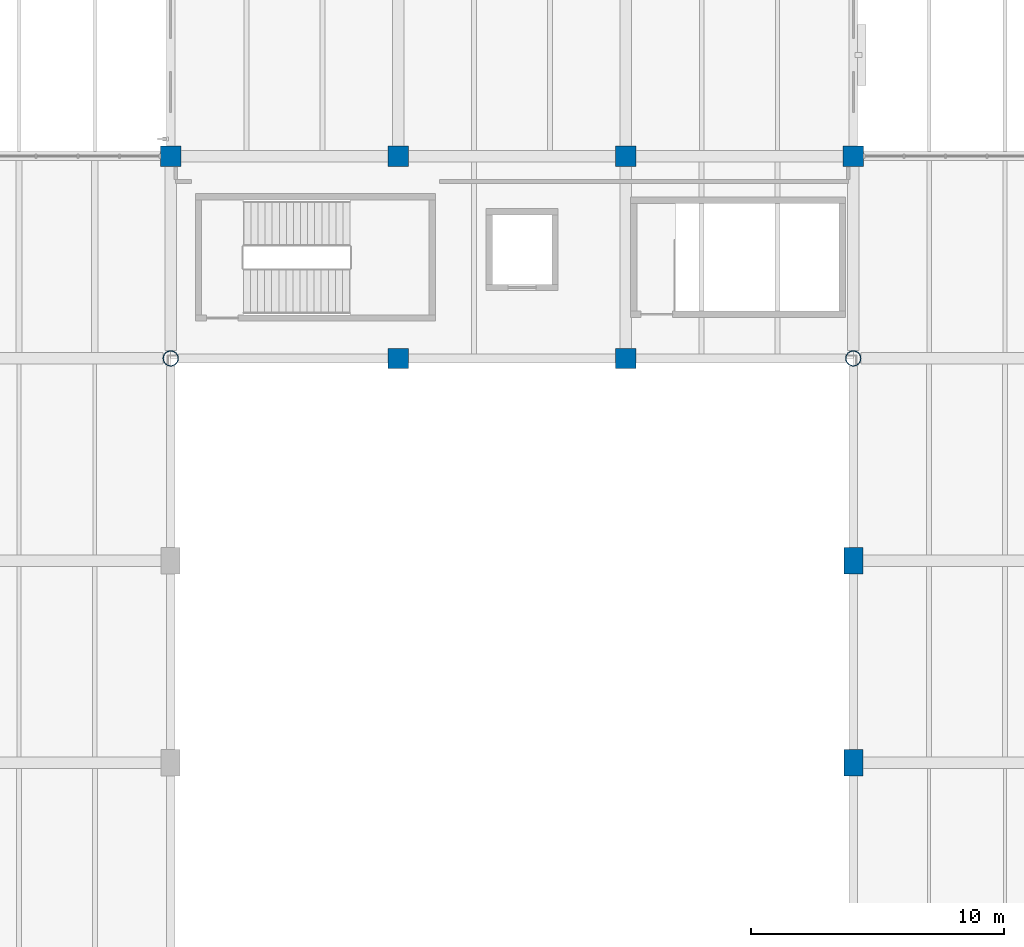
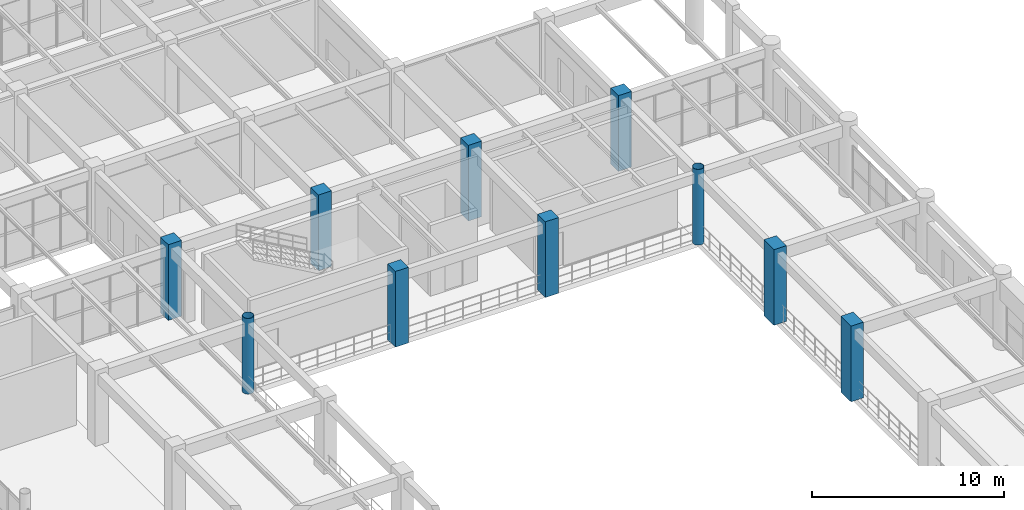
# One storey, part 8 of 178: 10 columns.
"""IFC4 building model written with IfcOpenShell, lengths in metres."""

from ifc_helpers import new_model, si_unit, derived_unit, direction, frame, origin, origin_2d, place, context, subcontext, project, spatial, rectangle, hollow_circle, extrude, material, material_profile, profile_set, type_object, element, save


model = new_model("IFC4")

# Units and contexts
model_context = context("Model", 3, precision=1e-05, world=origin(), true_north=direction((0.0, 1.0)))
body_context = subcontext(model_context, "Body", "Model", "MODEL_VIEW")
ifc_project = project(units=[si_unit("LENGTHUNIT", "METRE"), si_unit("AREAUNIT", "SQUARE_METRE"), si_unit("VOLUMEUNIT", "CUBIC_METRE"), si_unit("PLANEANGLEUNIT", "RADIAN"), si_unit("MASSUNIT", "GRAM", prefix="KILO"), derived_unit("THERMALTRANSMITTANCEUNIT", [(si_unit("MASSUNIT", "GRAM", prefix="KILO"), 1), (si_unit("TIMEUNIT", "SECOND"), -3), (si_unit("THERMODYNAMICTEMPERATUREUNIT", "KELVIN"), -1)])], contexts=[model_context])

# Site, building, storey
site_placement = place(None, origin())
site = spatial("IfcSite", under=ifc_project, at=site_placement, CompositionType="ELEMENT")
building_placement = place(site_placement, origin())
building = spatial("IfcBuilding", under=site, at=building_placement, Name="Zhenchuan Archway Interchange", CompositionType="ELEMENT")
storey_placement = place(building_placement, frame((0.0, 0.0, 5.39990234375)))
storey = spatial("IfcBuildingStorey", under=building, at=storey_placement, Name="L01", CompositionType="ELEMENT", Elevation=5.39990234375)

# Columns
ifc_material_1 = material(Name="Concrete C50", Category="concrete")
ifc_material_profile_1 = material_profile(ifc_material_1, rectangle(XDim=0.75, YDim=1.050048828125, at=origin_2d()), Name="RC 750x1050")
ifc_profile_set_1 = profile_set([ifc_material_profile_1], Name="Concrete C50")
column_type_1 = type_object("IfcColumnType", Name="COL_RC_750x1050", PredefinedType="COLUMN", material=ifc_profile_set_1)
for number, where, z_axis, x_axis, name in (
    (1, (63.0, 64.0, 0.0), (0.0, 0.0, 1.0), (1.0, 0.0, 0.0), "Column 8/J (L01)"),
    (2, (63.0, 72.0, 0.0), (0.0, 0.0, 1.0), (1.0, 0.0, 0.0), "Column 8/K (L01)"),
):
    element("IfcColumn", number, at=place(storey_placement, frame(where, z_axis=z_axis, x_axis=x_axis)), inside=storey, type_object=column_type_1, Name=name, PredefinedType="COLUMN", context=body_context, shape_type="SweptSolid", body=[
        extrude(rectangle(XDim=0.75, YDim=1.050048828125, at=origin_2d()), origin(), (0.0, 0.0, 1.0), 4.800048828125),
    ])
ifc_material_2 = material(Name="Concrete C40", Category="concrete")
ifc_material_profile_2 = material_profile(ifc_material_2, rectangle(XDim=0.800048828125, YDim=0.800048828125, at=origin_2d()), Name="RC 800x800")
ifc_profile_set_2 = profile_set([ifc_material_profile_2], Name="Concrete C40")
column_type_2 = type_object("IfcColumnType", Name="COL_RC_800", PredefinedType="COLUMN", material=ifc_profile_set_2)
for number, where, z_axis, x_axis, name in (
    (3, (36.0, 88.0, 0.0), (0.0, 0.0, 1.0), (1.0, 0.0, 0.0), "Column 5/M (L01)"),
    (4, (45.0, 80.0, 0.0), (0.0, 0.0, 1.0), (1.0, 0.0, 0.0), "Column 6/L (L01)"),
    (5, (45.0, 88.0, 0.0), (0.0, 0.0, 1.0), (1.0, 0.0, 0.0), "Column 6/M (L01)"),
    (6, (54.0, 80.0, 0.0), (0.0, 0.0, 1.0), (1.0, 0.0, 0.0), "Column 7/L (L01)"),
    (7, (54.0, 88.0, 0.0), (0.0, 0.0, 1.0), (1.0, 0.0, 0.0), "Column 7/M (L01)"),
    (8, (63.0, 88.0, 0.0), (0.0, 0.0, 1.0), (1.0, 0.0, 0.0), "Column 8/M (L01)"),
):
    element("IfcColumn", number, at=place(storey_placement, frame(where, z_axis=z_axis, x_axis=x_axis)), inside=storey, type_object=column_type_2, Name=name, PredefinedType="COLUMN", context=body_context, shape_type="SweptSolid", body=[
        extrude(rectangle(XDim=0.800048828125, YDim=0.800048828125, at=origin_2d()), origin(), (0.0, 0.0, 1.0), 4.800048828125),
    ])
ifc_material_3 = material(Name="Steel Q390", Category="steel")
ifc_material_profile_3 = material_profile(ifc_material_3, hollow_circle(Radius=0.304931640625, WallThickness=0.02001953125, at=origin_2d()), Name="CHS 610x20")
ifc_profile_set_3 = profile_set([ifc_material_profile_3], Name="Steel Q390")
column_type_3 = type_object("IfcColumnType", Name="COL_STL_CHS610", PredefinedType="COLUMN", material=ifc_profile_set_3)
for number, where, z_axis, x_axis, name in (
    (9, (36.0, 80.0, 0.0), (0.0, 0.0, 1.0), (1.0, 0.0, 0.0), "Column 5/L (L01)"),
    (10, (63.0, 80.0, 0.0), (0.0, 0.0, 1.0), (1.0, 0.0, 0.0), "Column 8/L (L01)"),
):
    element("IfcColumn", number, at=place(storey_placement, frame(where, z_axis=z_axis, x_axis=x_axis)), inside=storey, type_object=column_type_3, Name=name, PredefinedType="COLUMN", context=body_context, shape_type="SweptSolid", body=[
        extrude(hollow_circle(Radius=0.304931640625, WallThickness=0.02001953125, at=origin_2d()), origin(), (0.0, 0.0, 1.0), 4.800048828125),
    ])

save(model, "model.ifc")
